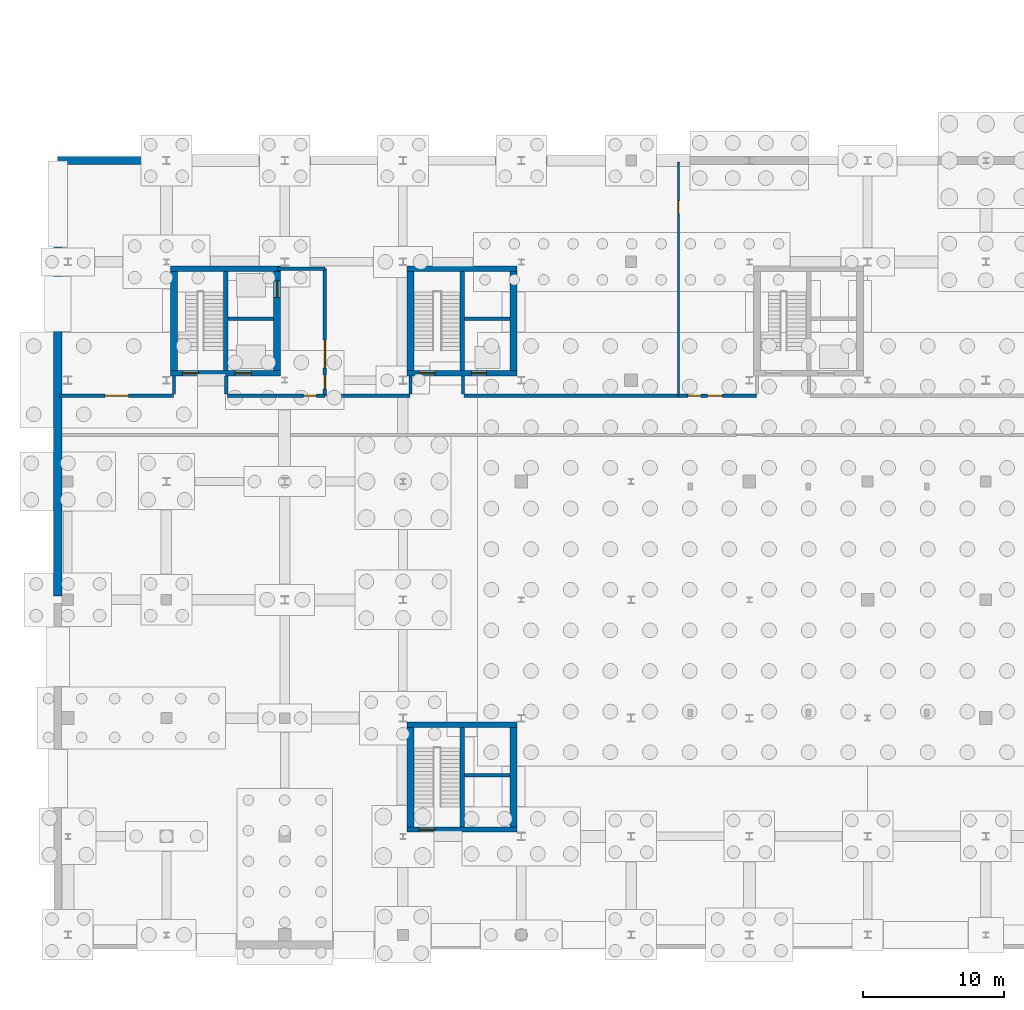
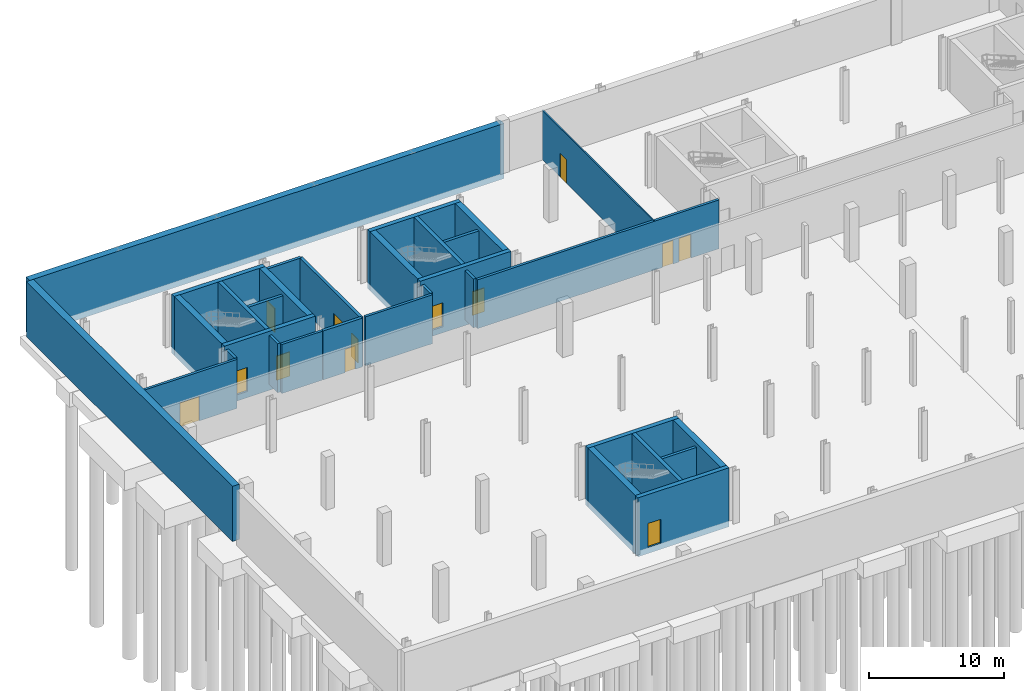
# One storey, part 21 of 32: 32 walls, 13 doors, 13 openings.
"""IFC4 building model written with IfcOpenShell, lengths in metres."""

from ifc_helpers import new_model, si_unit, direction, frame, frame_2d, origin_with_axes, place, context, subcontext, project, spatial, rectangle, extrude, material, layer, layer_set, type_object, element, fill, save


model = new_model("IFC4")

# Units and contexts
model_context = context("Model", 3, precision=1e-05, world=origin_with_axes(), true_north=direction((0.0, 1.0)))
body_context = subcontext(model_context, "Body", "Model", "MODEL_VIEW")
ifc_project = project(units=[si_unit("LENGTHUNIT", "METRE"), si_unit("AREAUNIT", "SQUARE_METRE"), si_unit("VOLUMEUNIT", "CUBIC_METRE"), si_unit("PLANEANGLEUNIT", "RADIAN"), si_unit("MASSUNIT", "GRAM", prefix="KILO"), si_unit("THERMODYNAMICTEMPERATUREUNIT", "KELVIN")], contexts=[model_context])

# Site, building, storey
site_placement = place(None, origin_with_axes())
site = spatial("IfcSite", under=ifc_project, at=site_placement, CompositionType="ELEMENT")
building_placement = place(site_placement, origin_with_axes())
building = spatial("IfcBuilding", under=site, at=building_placement, Name="Montbau Bow Law Courts", CompositionType="ELEMENT")
storey_placement = place(building_placement, frame((0.0, 0.0, -4.8), z_axis=(0.0, 0.0, 1.0), x_axis=(1.0, 0.0, 0.0)))
storey = spatial("IfcBuildingStorey", under=building, at=storey_placement, Name="B1", CompositionType="ELEMENT", Elevation=-4.8)

# Wall, opening, door
ifc_material_1 = material(Name="Concrete CSA A23.1 f'c 45 MPa", Category="concrete")
ifc_layer_1 = layer(ifc_material_1, 0.5, Name="Shear Wall", Category="concrete")
ifc_layer_set_1 = layer_set([ifc_layer_1], Name="Concrete CSA A23.1 f'c 45 MPa")
wall_type_1 = type_object("IfcWallType", Name="W-COR-01", PredefinedType="SHEAR", material=ifc_layer_set_1)
wall_1_placement = place(None, frame((21.66, 46.87, -5.35), z_axis=(0.0, 0.0, 1.0), x_axis=(0.0, 1.0, 0.0)))
wall_1 = element("IfcWall", 1, at=wall_1_placement, inside=storey, type_object=wall_type_1, Name="WC-B1-0003:wal_0070", PredefinedType="SHEAR", context=body_context, shape_type="SweptSolid", body=[
    extrude(rectangle(XDim=7.060000000000002, YDim=0.5, at=frame_2d((3.53, 0.0), x_axis=(1.0, 0.0))), origin_with_axes(), (0.0, 0.0, 1.0), 5.35),
])
opening_1_placement = place(None, frame((21.66, 52.66, -4.8), z_axis=(0.0, 0.0, 1.0), x_axis=(0.0, 1.0, 0.0)))
opening_1 = element("IfcOpeningElement", 2, at=opening_1_placement, cuts=wall_1, Name="OP-LD-B1-EL-P2", PredefinedType="OPENING", context=body_context, shape_type="SweptSolid", body=[
    extrude(rectangle(XDim=1.16, YDim=2.2, at=frame_2d((0.0, 1.1), x_axis=(1.0, 0.0))), frame((0.0, 0.26, 0.0), z_axis=(0.0, -1.0, 0.0), x_axis=(1.0, 0.0, 0.0)), (0.0, 0.0, 1.0), 0.52),
])
ifc_material_2 = material(Name="Brushed Stainless Steel Elevator Landing Door", Category="steel")
door_type_1 = type_object("IfcDoorType", Name="LD-PUB-01", OperationType="NOTDEFINED", ParameterTakesPrecedence=False, PredefinedType="DOOR", material=ifc_material_2)
door_1_placement = place(None, frame((21.66, 52.66, -4.8), z_axis=(0.0, 0.0, 1.0), x_axis=(0.0, 1.0, 0.0)))
door_1 = element("IfcDoor", 3, at=door_1_placement, inside=storey, type_object=door_type_1, Name="LD-B1-EL-P2:dor_0039", OperationType="SLIDING_TO_LEFT", OverallHeight=2.2, OverallWidth=1.16, PredefinedType="DOOR", context=body_context, shape_type="SweptSolid", body=[
    extrude(rectangle(XDim=1.16, YDim=2.2, at=frame_2d((0.0, 1.1), x_axis=(1.0, 0.0))), frame((0.0, 0.04, 0.0), z_axis=(0.0, -1.0, 0.0), x_axis=(1.0, 0.0, 0.0)), (0.0, 0.0, 1.0), 0.08),
])
fill(opening_1, door_1)

# Walls
for number, where, z_axis, x_axis, name in (
    (4, (14.34, 53.93, -5.35), (0.0, 0.0, 1.0), (0.0, -1.0, 0.0), "WC-B1-0004:wal_0071"),
    (5, (38.46, 46.87, -5.35), (0.0, 0.0, 1.0), (0.0, 1.0, 0.0), "WC-B1-0084:wal_0151"),
    (6, (31.14, 53.93, -5.35), (0.0, 0.0, 1.0), (0.0, -1.0, 0.0), "WC-B1-0085:wal_0152"),
):
    element("IfcWall", number, at=place(None, frame(where, z_axis=z_axis, x_axis=x_axis)), inside=storey, type_object=wall_type_1, Name=name, PredefinedType="SHEAR", context=body_context, shape_type="SweptSolid", body=[
        extrude(rectangle(XDim=7.060000000000002, YDim=0.5, at=frame_2d((3.53, 0.0), x_axis=(1.0, 0.0))), origin_with_axes(), (0.0, 0.0, 1.0), 5.35),
    ])
for number, where, z_axis, x_axis, name in (
    (7, (38.46, 14.47, -5.35), (0.0, 0.0, 1.0), (0.0, 1.0, 0.0), "WC-B1-0527:wal_0594"),
    (8, (31.14, 21.53, -5.35), (0.0, 0.0, 1.0), (0.0, -1.0, 0.0), "WC-B1-0528:wal_0595"),
):
    element("IfcWall", number, at=place(None, frame(where, z_axis=z_axis, x_axis=x_axis)), inside=storey, type_object=wall_type_1, Name=name, PredefinedType="SHEAR", context=body_context, shape_type="SweptSolid", body=[
        extrude(rectangle(XDim=7.0600000000000005, YDim=0.5, at=frame_2d((3.53, 0.0), x_axis=(1.0, 0.0))), origin_with_axes(), (0.0, 0.0, 1.0), 5.35),
    ])

# Wall, openings, doors
ifc_layer_2 = layer(ifc_material_1, 0.38, Name="Shear Wall", Category="concrete")
ifc_layer_set_2 = layer_set([ifc_layer_2], Name="Concrete CSA A23.1 f'c 45 MPa")
wall_type_2 = type_object("IfcWallType", Name="W-COR-04", PredefinedType="SHEAR", material=ifc_layer_set_2)
wall_2_placement = place(None, frame((14.09, 46.68, -5.35), z_axis=(0.0, 0.0, 1.0), x_axis=(1.0, 0.0, 0.0)))
wall_2 = element("IfcWall", 9, at=wall_2_placement, inside=storey, type_object=wall_type_2, Name="WC-B1-0001:wal_0068", PredefinedType="SHEAR", context=body_context, shape_type="SweptSolid", body=[
    extrude(rectangle(XDim=7.82, YDim=0.38, at=frame_2d((3.91, 0.0), x_axis=(1.0, 0.0))), origin_with_axes(), (0.0, 0.0, 1.0), 5.35),
])
opening_2_placement = place(None, frame((15.51, 46.68, -4.8), z_axis=(0.0, 0.0, 1.0), x_axis=(1.0, 0.0, 0.0)))
opening_2 = element("IfcOpeningElement", 10, at=opening_2_placement, cuts=wall_2, Name="OP-D-B1-ST-P1", PredefinedType="OPENING", context=body_context, shape_type="SweptSolid", body=[
    extrude(rectangle(XDim=1.14, YDim=2.18, at=frame_2d((0.0, 1.09), x_axis=(1.0, 0.0))), frame((0.0, 0.2, 0.0), z_axis=(0.0, -1.0, 0.0), x_axis=(1.0, 0.0, 0.0)), (0.0, 0.0, 1.0), 0.4),
])
opening_3_placement = place(None, frame((19.25, 46.68, -4.8), z_axis=(0.0, 0.0, 1.0), x_axis=(1.0, 0.0, 0.0)))
opening_3 = element("IfcOpeningElement", 11, at=opening_3_placement, cuts=wall_2, Name="OP-LD-B1-EL-P1", PredefinedType="OPENING", context=body_context, shape_type="SweptSolid", body=[
    extrude(rectangle(XDim=1.16, YDim=2.2, at=frame_2d((0.0, 1.1), x_axis=(1.0, 0.0))), frame((0.0, 0.2, 0.0), z_axis=(0.0, -1.0, 0.0), x_axis=(1.0, 0.0, 0.0)), (0.0, 0.0, 1.0), 0.4),
])
ifc_material_3 = material(Name="1.5 h Fire-Rated Hollow-Metal Exit Stair Door", Category="steel")
door_type_2 = type_object("IfcDoorType", Name="D-ST-01", OperationType="NOTDEFINED", ParameterTakesPrecedence=False, PredefinedType="DOOR", material=ifc_material_3)
door_2_placement = place(None, frame((15.51, 46.68, -4.8), z_axis=(0.0, 0.0, 1.0), x_axis=(-1.0, 0.0, 0.0)))
door_2 = element("IfcDoor", 12, at=door_2_placement, inside=storey, type_object=door_type_2, Name="D-B1-ST-P1:dor_0037", OperationType="SINGLE_SWING_LEFT", OverallHeight=2.18, OverallWidth=1.14, PredefinedType="DOOR", context=body_context, shape_type="SweptSolid", body=[
    extrude(rectangle(XDim=1.14, YDim=2.18, at=frame_2d((0.0, 1.09), x_axis=(1.0, 0.0))), frame((0.0, 0.04, 0.0), z_axis=(0.0, -1.0, 0.0), x_axis=(1.0, 0.0, 0.0)), (0.0, 0.0, 1.0), 0.08),
])
fill(opening_2, door_2)
door_3_placement = place(None, frame((19.25, 46.68, -4.8), z_axis=(0.0, 0.0, 1.0), x_axis=(-1.0, 0.0, 0.0)))
door_3 = element("IfcDoor", 13, at=door_3_placement, inside=storey, type_object=door_type_1, Name="LD-B1-EL-P1:dor_0038", OperationType="SLIDING_TO_LEFT", OverallHeight=2.2, OverallWidth=1.16, PredefinedType="DOOR", context=body_context, shape_type="SweptSolid", body=[
    extrude(rectangle(XDim=1.16, YDim=2.2, at=frame_2d((0.0, 1.1), x_axis=(1.0, 0.0))), frame((0.0, 0.04, 0.0), z_axis=(0.0, -1.0, 0.0), x_axis=(1.0, 0.0, 0.0)), (0.0, 0.0, 1.0), 0.08),
])
fill(opening_3, door_3)

# Wall
wall_3_placement = place(None, frame((21.91, 54.12, -5.35), z_axis=(0.0, 0.0, 1.0), x_axis=(-1.0, 0.0, 0.0)))
element("IfcWall", 14, at=wall_3_placement, inside=storey, type_object=wall_type_2, Name="WC-B1-0002:wal_0069", PredefinedType="SHEAR", context=body_context, shape_type="SweptSolid", body=[
    extrude(rectangle(XDim=7.82, YDim=0.38, at=frame_2d((3.91, 0.0), x_axis=(1.0, 0.0))), origin_with_axes(), (0.0, 0.0, 1.0), 5.35),
])

# Wall, openings, doors
wall_4_placement = place(None, frame((30.89, 46.68, -5.35), z_axis=(0.0, 0.0, 1.0), x_axis=(1.0, 0.0, 0.0)))
wall_4 = element("IfcWall", 15, at=wall_4_placement, inside=storey, type_object=wall_type_2, Name="WC-B1-0082:wal_0149", PredefinedType="SHEAR", context=body_context, shape_type="SweptSolid", body=[
    extrude(rectangle(XDim=7.82, YDim=0.38, at=frame_2d((3.91, 0.0), x_axis=(1.0, 0.0))), origin_with_axes(), (0.0, 0.0, 1.0), 5.35),
])
opening_4_placement = place(None, frame((32.31, 46.68, -4.8), z_axis=(0.0, 0.0, 1.0), x_axis=(1.0, 0.0, 0.0)))
opening_4 = element("IfcOpeningElement", 16, at=opening_4_placement, cuts=wall_4, Name="OP-D-B1-ST-J1", PredefinedType="OPENING", context=body_context, shape_type="SweptSolid", body=[
    extrude(rectangle(XDim=1.14, YDim=2.18, at=frame_2d((0.0, 1.09), x_axis=(1.0, 0.0))), frame((0.0, 0.2, 0.0), z_axis=(0.0, -1.0, 0.0), x_axis=(1.0, 0.0, 0.0)), (0.0, 0.0, 1.0), 0.4),
])
opening_5_placement = place(None, frame((36.0, 46.68, -4.8), z_axis=(0.0, 0.0, 1.0), x_axis=(1.0, 0.0, 0.0)))
opening_5 = element("IfcOpeningElement", 17, at=opening_5_placement, cuts=wall_4, Name="OP-LD-B1-EL-J1", PredefinedType="OPENING", context=body_context, shape_type="SweptSolid", body=[
    extrude(rectangle(XDim=1.06, YDim=2.16, at=frame_2d((0.0, 1.08), x_axis=(1.0, 0.0))), frame((0.0, 0.2, 0.0), z_axis=(0.0, -1.0, 0.0), x_axis=(1.0, 0.0, 0.0)), (0.0, 0.0, 1.0), 0.4),
])
door_4_placement = place(None, frame((32.31, 46.68, -4.8), z_axis=(0.0, 0.0, 1.0), x_axis=(-1.0, 0.0, 0.0)))
door_4 = element("IfcDoor", 18, at=door_4_placement, inside=storey, type_object=door_type_2, Name="D-B1-ST-J1:dor_0073", OperationType="SINGLE_SWING_RIGHT", OverallHeight=2.18, OverallWidth=1.14, PredefinedType="DOOR", context=body_context, shape_type="SweptSolid", body=[
    extrude(rectangle(XDim=1.14, YDim=2.18, at=frame_2d((0.0, 1.09), x_axis=(1.0, 0.0))), frame((0.0, 0.04, 0.0), z_axis=(0.0, -1.0, 0.0), x_axis=(1.0, 0.0, 0.0)), (0.0, 0.0, 1.0), 0.08),
])
fill(opening_4, door_4)
ifc_material_4 = material(Name="Bronze-Clad Judicial Elevator Landing Door", Category="steel")
door_type_3 = type_object("IfcDoorType", Name="LD-JUD-01", OperationType="NOTDEFINED", ParameterTakesPrecedence=False, PredefinedType="DOOR", material=ifc_material_4)
door_5_placement = place(None, frame((36.0, 46.68, -4.8), z_axis=(0.0, 0.0, 1.0), x_axis=(-1.0, 0.0, 0.0)))
door_5 = element("IfcDoor", 19, at=door_5_placement, inside=storey, type_object=door_type_3, Name="LD-B1-EL-J1:dor_0074", OperationType="SLIDING_TO_LEFT", OverallHeight=2.16, OverallWidth=1.06, PredefinedType="DOOR", context=body_context, shape_type="SweptSolid", body=[
    extrude(rectangle(XDim=1.06, YDim=2.16, at=frame_2d((0.0, 1.08), x_axis=(1.0, 0.0))), frame((0.0, 0.04, 0.0), z_axis=(0.0, -1.0, 0.0), x_axis=(1.0, 0.0, 0.0)), (0.0, 0.0, 1.0), 0.08),
])
fill(opening_5, door_5)

# Wall
wall_5_placement = place(None, frame((38.71, 54.12, -5.35), z_axis=(0.0, 0.0, 1.0), x_axis=(-1.0, 0.0, 0.0)))
element("IfcWall", 20, at=wall_5_placement, inside=storey, type_object=wall_type_2, Name="WC-B1-0083:wal_0150", PredefinedType="SHEAR", context=body_context, shape_type="SweptSolid", body=[
    extrude(rectangle(XDim=7.82, YDim=0.38, at=frame_2d((3.91, 0.0), x_axis=(1.0, 0.0))), origin_with_axes(), (0.0, 0.0, 1.0), 5.35),
])

# Wall, opening, door
wall_6_placement = place(None, frame((30.89, 14.28, -5.35), z_axis=(0.0, 0.0, 1.0), x_axis=(1.0, 0.0, 0.0)))
wall_6 = element("IfcWall", 21, at=wall_6_placement, inside=storey, type_object=wall_type_2, Name="WC-B1-0525:wal_0592", PredefinedType="SHEAR", context=body_context, shape_type="SweptSolid", body=[
    extrude(rectangle(XDim=7.82, YDim=0.38, at=frame_2d((3.91, 0.0), x_axis=(1.0, 0.0))), origin_with_axes(), (0.0, 0.0, 1.0), 5.35),
])
opening_6_placement = place(None, frame((32.31, 14.28, -4.8), z_axis=(0.0, 0.0, 1.0), x_axis=(1.0, 0.0, 0.0)))
opening_6 = element("IfcOpeningElement", 22, at=opening_6_placement, cuts=wall_6, Name="OP-D-B1-ST-CER1", PredefinedType="OPENING", context=body_context, shape_type="SweptSolid", body=[
    extrude(rectangle(XDim=1.14, YDim=2.18, at=frame_2d((0.0, 1.09), x_axis=(1.0, 0.0))), frame((0.0, 0.2, 0.0), z_axis=(0.0, -1.0, 0.0), x_axis=(1.0, 0.0, 0.0)), (0.0, 0.0, 1.0), 0.4),
])
door_6_placement = place(None, frame((32.31, 14.28, -4.8), z_axis=(0.0, 0.0, 1.0), x_axis=(-1.0, 0.0, 0.0)))
door_6 = element("IfcDoor", 23, at=door_6_placement, inside=storey, type_object=door_type_2, Name="D-B1-ST-CER1:dor_0235", OperationType="SINGLE_SWING_LEFT", OverallHeight=2.18, OverallWidth=1.14, PredefinedType="DOOR", context=body_context, shape_type="SweptSolid", body=[
    extrude(rectangle(XDim=1.14, YDim=2.18, at=frame_2d((0.0, 1.09), x_axis=(1.0, 0.0))), frame((0.0, 0.04, 0.0), z_axis=(0.0, -1.0, 0.0), x_axis=(1.0, 0.0, 0.0)), (0.0, 0.0, 1.0), 0.08),
])
fill(opening_6, door_6)

# Walls
wall_7_placement = place(None, frame((38.71, 21.72, -5.35), z_axis=(0.0, 0.0, 1.0), x_axis=(-1.0, 0.0, 0.0)))
element("IfcWall", 24, at=wall_7_placement, inside=storey, type_object=wall_type_2, Name="WC-B1-0526:wal_0593", PredefinedType="SHEAR", context=body_context, shape_type="SweptSolid", body=[
    extrude(rectangle(XDim=7.82, YDim=0.38, at=frame_2d((3.91, 0.0), x_axis=(1.0, 0.0))), origin_with_axes(), (0.0, 0.0, 1.0), 5.35),
])
ifc_layer_3 = layer(ifc_material_1, 0.32, Name="Shear Wall", Category="concrete")
ifc_layer_set_3 = layer_set([ifc_layer_3], Name="Concrete CSA A23.1 f'c 45 MPa")
wall_type_3 = type_object("IfcWallType", Name="W-COR-05", PredefinedType="SHEAR", material=ifc_layer_set_3)
for number, where, z_axis, x_axis, name in (
    (25, (18.02, 46.87, -5.35), (0.0, 0.0, 1.0), (0.0, 1.0, 0.0), "WS-B1-0005:wal_0072"),
    (26, (34.82, 46.87, -5.35), (0.0, 0.0, 1.0), (0.0, 1.0, 0.0), "WS-B1-0086:wal_0153"),
):
    element("IfcWall", number, at=place(None, frame(where, z_axis=z_axis, x_axis=x_axis)), inside=storey, type_object=wall_type_3, Name=name, PredefinedType="SHEAR", context=body_context, shape_type="SweptSolid", body=[
        extrude(rectangle(XDim=7.060000000000002, YDim=0.32, at=frame_2d((3.53, 0.0), x_axis=(1.0, 0.0))), origin_with_axes(), (0.0, 0.0, 1.0), 5.35),
    ])
wall_8_placement = place(None, frame((34.82, 14.47, -5.35), z_axis=(0.0, 0.0, 1.0), x_axis=(0.0, 1.0, 0.0)))
element("IfcWall", 27, at=wall_8_placement, inside=storey, type_object=wall_type_3, Name="WS-B1-0529:wal_0596", PredefinedType="SHEAR", context=body_context, shape_type="SweptSolid", body=[
    extrude(rectangle(XDim=7.0600000000000005, YDim=0.32, at=frame_2d((3.53, 0.0), x_axis=(1.0, 0.0))), origin_with_axes(), (0.0, 0.0, 1.0), 5.35),
])
ifc_material_5 = material(Name="2 h Shaft and Exit-Passage Fire Separation Partition", Category="gypsum")
ifc_layer_4 = layer(ifc_material_5, 0.25, Name="Partition", Category="gypsum")
ifc_layer_set_4 = layer_set([ifc_layer_4], Name="2 h Shaft and Exit-Passage Fire Separation Partition")
wall_type_4 = type_object("IfcWallType", Name="W-PRT-01", PredefinedType="PARTITIONING", material=ifc_layer_set_4)
wall_9_placement = place(None, frame((18.18, 50.549, -4.8), z_axis=(0.0, 0.0, 1.0), x_axis=(1.0, 0.0, 0.0)))
element("IfcWall", 28, at=wall_9_placement, inside=storey, type_object=wall_type_4, Name="WS-B1-0006:wal_0073", PredefinedType="PARTITIONING", context=body_context, shape_type="SweptSolid", body=[
    extrude(rectangle(XDim=3.2300000000000004, YDim=0.25, at=frame_2d((1.615, 0.0), x_axis=(1.0, 0.0))), origin_with_axes(), (0.0, 0.0, 1.0), 4.44),
])

# Wall, openings, doors
wall_10_placement = place(None, frame((25.06, 45.09, -4.8), z_axis=(0.0, 0.0, 1.0), x_axis=(0.0, 1.0, 0.0)))
wall_10 = element("IfcWall", 29, at=wall_10_placement, inside=storey, type_object=wall_type_4, Name="WEL-B1-0007:wal_0074", PredefinedType="PARTITIONING", context=body_context, shape_type="SweptSolid", body=[
    extrude(rectangle(XDim=9.029999999999994, YDim=0.25, at=frame_2d((4.515, 0.0), x_axis=(1.0, 0.0))), origin_with_axes(), (0.0, 0.0, 1.0), 4.44),
])
opening_7_placement = place(None, frame((25.06, 48.057, -4.8), z_axis=(0.0, 0.0, 1.0), x_axis=(0.0, 1.0, 0.0)))
opening_7 = element("IfcOpeningElement", 30, at=opening_7_placement, cuts=wall_10, Name="OP-D-TYP-411", PredefinedType="OPENING", context=body_context, shape_type="SweptSolid", body=[
    extrude(rectangle(XDim=1.96, YDim=2.46, at=frame_2d((0.0, 1.23), x_axis=(1.0, 0.0))), frame((0.0, 0.135, 0.0), z_axis=(0.0, -1.0, 0.0), x_axis=(1.0, 0.0, 0.0)), (0.0, 0.0, 1.0), 0.27),
])
opening_8_placement = place(None, frame((25.06, 46.067, -4.8), z_axis=(0.0, 0.0, 1.0), x_axis=(0.0, 1.0, 0.0)))
opening_8 = element("IfcOpeningElement", 31, at=opening_8_placement, cuts=wall_10, Name="OP-D-TYP-412", PredefinedType="OPENING", context=body_context, shape_type="SweptSolid", body=[
    extrude(rectangle(XDim=0.98, YDim=2.14, at=frame_2d((0.0, 1.07), x_axis=(1.0, 0.0))), frame((0.0, 0.135, 0.0), z_axis=(0.0, -1.0, 0.0), x_axis=(1.0, 0.0, 0.0)), (0.0, 0.0, 1.0), 0.27),
])
ifc_material_6 = material(Name="1.5 h Mechanical and Standby Power Double Door", Category="steel")
door_type_4 = type_object("IfcDoorType", Name="D-PLT-01", OperationType="NOTDEFINED", ParameterTakesPrecedence=False, PredefinedType="DOOR", material=ifc_material_6)
door_7_placement = place(None, frame((25.06, 48.057, -4.8), z_axis=(0.0, 0.0, 1.0), x_axis=(0.0, 1.0, 0.0)))
door_7 = element("IfcDoor", 32, at=door_7_placement, inside=storey, type_object=door_type_4, Name="D-TYP-411:dor_0446", OperationType="SINGLE_SWING_RIGHT", OverallHeight=2.46, OverallWidth=1.96, PredefinedType="DOOR", context=body_context, shape_type="SweptSolid", body=[
    extrude(rectangle(XDim=1.96, YDim=2.46, at=frame_2d((0.0, 1.23), x_axis=(1.0, 0.0))), frame((0.0, 0.04, 0.0), z_axis=(0.0, -1.0, 0.0), x_axis=(1.0, 0.0, 0.0)), (0.0, 0.0, 1.0), 0.08),
])
fill(opening_7, door_7)
ifc_material_7 = material(Name="1 h Electrical Riser and Telecom Closet Door", Category="steel")
door_type_5 = type_object("IfcDoorType", Name="D-PLT-02", OperationType="NOTDEFINED", ParameterTakesPrecedence=False, PredefinedType="DOOR", material=ifc_material_7)
door_8_placement = place(None, frame((25.06, 46.067, -4.8), z_axis=(0.0, 0.0, 1.0), x_axis=(0.0, 1.0, 0.0)))
door_8 = element("IfcDoor", 33, at=door_8_placement, inside=storey, type_object=door_type_5, Name="D-TYP-412:dor_0447", OperationType="SINGLE_SWING_LEFT", OverallHeight=2.14, OverallWidth=0.98, PredefinedType="DOOR", context=body_context, shape_type="SweptSolid", body=[
    extrude(rectangle(XDim=0.98, YDim=2.14, at=frame_2d((0.0, 1.07), x_axis=(1.0, 0.0))), frame((0.0, 0.04, 0.0), z_axis=(0.0, -1.0, 0.0), x_axis=(1.0, 0.0, 0.0)), (0.0, 0.0, 1.0), 0.08),
])
fill(opening_8, door_8)

# Wall
wall_11_placement = place(None, frame((21.7, 54.12, -4.8), z_axis=(0.0, 0.0, 1.0), x_axis=(1.0, 0.0, 0.0)))
element("IfcWall", 34, at=wall_11_placement, inside=storey, type_object=wall_type_4, Name="WEL-B1-0008:wal_0075", PredefinedType="PARTITIONING", context=body_context, shape_type="SweptSolid", body=[
    extrude(rectangle(XDim=3.3599999999999994, YDim=0.25, at=frame_2d((1.68, 0.0), x_axis=(1.0, 0.0))), origin_with_axes(), (0.0, 0.0, 1.0), 4.44),
])

# Wall, opening, door
wall_12_placement = place(None, frame((21.7, 45.09, -4.8), z_axis=(0.0, 0.0, 1.0), x_axis=(1.0, 0.0, 0.0)))
wall_12 = element("IfcWall", 35, at=wall_12_placement, inside=storey, type_object=wall_type_4, Name="WEL-B1-0009:wal_0076", PredefinedType="PARTITIONING", context=body_context, shape_type="SweptSolid", body=[
    extrude(rectangle(XDim=3.3599999999999994, YDim=0.25, at=frame_2d((1.68, 0.0), x_axis=(1.0, 0.0))), origin_with_axes(), (0.0, 0.0, 1.0), 4.44),
])
opening_9_placement = place(None, frame((24.005, 45.09, -4.8), z_axis=(0.0, 0.0, 1.0), x_axis=(1.0, 0.0, 0.0)))
opening_9 = element("IfcOpeningElement", 36, at=opening_9_placement, cuts=wall_12, Name="OP-D-B1-ELB-CORE-W1", PredefinedType="OPENING", context=body_context, shape_type="SweptSolid", body=[
    extrude(rectangle(XDim=0.91, YDim=2.12, at=frame_2d((0.0, 1.06), x_axis=(1.0, 0.0))), frame((0.0, 0.135, 0.0), z_axis=(0.0, -1.0, 0.0), x_axis=(1.0, 0.0, 0.0)), (0.0, 0.0, 1.0), 0.27),
])
ifc_material_8 = material(Name="Public and Judicial Washroom Solid-Core Door", Category="wood")
door_type_6 = type_object("IfcDoorType", Name="D-WC-02", OperationType="NOTDEFINED", ParameterTakesPrecedence=False, PredefinedType="DOOR", material=ifc_material_8)
door_9_placement = place(None, frame((24.005, 45.09, -4.8), z_axis=(0.0, 0.0, 1.0), x_axis=(1.0, 0.0, 0.0)))
door_9 = element("IfcDoor", 37, at=door_9_placement, inside=storey, type_object=door_type_6, Name="D-B1-ELB-CORE-W1:dor_0040", OperationType="SINGLE_SWING_RIGHT", OverallHeight=2.12, OverallWidth=0.91, PredefinedType="DOOR", context=body_context, shape_type="SweptSolid", body=[
    extrude(rectangle(XDim=0.91, YDim=2.12, at=frame_2d((0.0, 1.06), x_axis=(1.0, 0.0))), frame((0.0, 0.04, 0.0), z_axis=(0.0, -1.0, 0.0), x_axis=(1.0, 0.0, 0.0)), (0.0, 0.0, 1.0), 0.08),
])
fill(opening_9, door_9)

# Walls
for number, where, z_axis, x_axis, name in (
    (38, (34.98, 50.549, -4.8), (0.0, 0.0, 1.0), (1.0, 0.0, 0.0), "WS-B1-0087:wal_0154"),
    (39, (34.98, 18.149, -4.8), (0.0, 0.0, 1.0), (1.0, 0.0, 0.0), "WS-B1-0530:wal_0597"),
):
    element("IfcWall", number, at=place(None, frame(where, z_axis=z_axis, x_axis=x_axis)), inside=storey, type_object=wall_type_4, Name=name, PredefinedType="PARTITIONING", context=body_context, shape_type="SweptSolid", body=[
        extrude(rectangle(XDim=3.230000000000004, YDim=0.25, at=frame_2d((1.615, 0.0), x_axis=(1.0, 0.0))), origin_with_axes(), (0.0, 0.0, 1.0), 4.44),
    ])
ifc_material_9 = material(Name="STC-60 High-Acoustic Courtroom Perimeter Partition", Category="gypsum")
ifc_layer_5 = layer(ifc_material_9, 0.22, Name="Partition", Category="gypsum")
ifc_layer_set_5 = layer_set([ifc_layer_5], Name="STC-60 High-Acoustic Courtroom Perimeter Partition")
wall_type_5 = type_object("IfcWallType", Name="W-PRT-02", PredefinedType="PARTITIONING", material=ifc_layer_set_5)
for number, where, z_axis, x_axis, name in (
    (40, (14.34, 45.22, -4.8), (0.0, 0.0, 1.0), (0.0, 1.0, 0.0), "WCX-B1-0569:wal_0636"),
    (41, (18.05, 45.22, -4.8), (0.0, 0.0, 1.0), (0.0, 1.0, 0.0), "WCX-B1-0570:wal_0637"),
    (42, (31.14, 45.22, -4.8), (0.0, 0.0, 1.0), (0.0, 1.0, 0.0), "WCX-B1-0571:wal_0638"),
    (43, (34.85, 45.22, -4.8), (0.0, 0.0, 1.0), (0.0, 1.0, 0.0), "WCX-B1-0572:wal_0639"),
):
    element("IfcWall", number, at=place(None, frame(where, z_axis=z_axis, x_axis=x_axis)), inside=storey, type_object=wall_type_5, Name=name, PredefinedType="PARTITIONING", context=body_context, shape_type="SweptSolid", body=[
        extrude(rectangle(XDim=1.259999999999998, YDim=0.22, at=frame_2d((0.63, 0.0), x_axis=(1.0, 0.0))), origin_with_axes(), (0.0, 0.0, 1.0), 4.44),
    ])

# Wall, opening, door
wall_13_placement = place(None, frame((6.22, 45.09, -4.8), z_axis=(0.0, 0.0, 1.0), x_axis=(1.0, 0.0, 0.0)))
wall_13 = element("IfcWall", 44, at=wall_13_placement, inside=storey, type_object=wall_type_5, Name="WP-B1-0577:wal_0644", PredefinedType="PARTITIONING", context=body_context, shape_type="SweptSolid", body=[
    extrude(rectangle(XDim=8.080000000000002, YDim=0.22, at=frame_2d((4.04, 0.0), x_axis=(1.0, 0.0))), origin_with_axes(), (0.0, 0.0, 1.0), 4.44),
])
opening_10_placement = place(None, frame((10.26, 45.09, -4.8), z_axis=(0.0, 0.0, 1.0), x_axis=(1.0, 0.0, 0.0)))
opening_10 = element("IfcOpeningElement", 45, at=opening_10_placement, cuts=wall_13, Name="OP-D-B1-214", PredefinedType="OPENING", context=body_context, shape_type="SweptSolid", body=[
    extrude(rectangle(XDim=1.68, YDim=2.22, at=frame_2d((0.0, 1.11), x_axis=(1.0, 0.0))), frame((0.0, 0.12, 0.0), z_axis=(0.0, -1.0, 0.0), x_axis=(1.0, 0.0, 0.0)), (0.0, 0.0, 1.0), 0.24),
])
ifc_material_10 = material(Name="2 h Evidence Vault and Court Archive Fire Door", Category="steel")
door_type_7 = type_object("IfcDoorType", Name="D-ARC-01", OperationType="NOTDEFINED", ParameterTakesPrecedence=False, PredefinedType="DOOR", material=ifc_material_10)
door_10_placement = place(None, frame((10.26, 45.09, -4.8), z_axis=(0.0, 0.0, 1.0), x_axis=(-1.0, 0.0, 0.0)))
door_10 = element("IfcDoor", 46, at=door_10_placement, inside=storey, type_object=door_type_7, Name="D-B1-214:dor_0249", OperationType="DOUBLE_DOOR_SINGLE_SWING", OverallHeight=2.22, OverallWidth=1.68, PredefinedType="DOOR", context=body_context, shape_type="SweptSolid", body=[
    extrude(rectangle(XDim=1.68, YDim=2.22, at=frame_2d((0.0, 1.11), x_axis=(1.0, 0.0))), frame((0.0, 0.04, 0.0), z_axis=(0.0, -1.0, 0.0), x_axis=(1.0, 0.0, 0.0)), (0.0, 0.0, 1.0), 0.08),
])
fill(opening_10, door_10)

# Walls
wall_14_placement = place(None, frame((18.15, 45.09, -4.8), z_axis=(0.0, 0.0, 1.0), x_axis=(1.0, 0.0, 0.0)))
element("IfcWall", 47, at=wall_14_placement, inside=storey, type_object=wall_type_5, Name="WP-B1-0578:wal_0645", PredefinedType="PARTITIONING", context=body_context, shape_type="SweptSolid", body=[
    extrude(rectangle(XDim=3.5100000000000016, YDim=0.22, at=frame_2d((1.755, 0.0), x_axis=(1.0, 0.0))), origin_with_axes(), (0.0, 0.0, 1.0), 4.44),
])
wall_15_placement = place(None, frame((25.355, 45.09, -4.8), z_axis=(0.0, 0.0, 1.0), x_axis=(1.0, 0.0, 0.0)))
element("IfcWall", 48, at=wall_15_placement, inside=storey, type_object=wall_type_5, Name="WP-B1-0579:wal_0646", PredefinedType="PARTITIONING", context=body_context, shape_type="SweptSolid", body=[
    extrude(rectangle(XDim=5.745000000000001, YDim=0.22, at=frame_2d((2.8725, 0.0), x_axis=(1.0, 0.0))), origin_with_axes(), (0.0, 0.0, 1.0), 4.44),
])

# Wall, openings, doors
wall_16_placement = place(None, frame((34.95, 45.09, -4.8), z_axis=(0.0, 0.0, 1.0), x_axis=(1.0, 0.0, 0.0)))
wall_16 = element("IfcWall", 49, at=wall_16_placement, inside=storey, type_object=wall_type_5, Name="WP-B1-0580:wal_0647", PredefinedType="PARTITIONING", context=body_context, shape_type="SweptSolid", body=[
    extrude(rectangle(XDim=20.75, YDim=0.22, at=frame_2d((10.375, 0.0), x_axis=(1.0, 0.0))), origin_with_axes(), (0.0, 0.0, 1.0), 4.44),
])
opening_11_placement = place(None, frame((52.77, 45.09, -4.8), z_axis=(0.0, 0.0, 1.0), x_axis=(1.0, 0.0, 0.0)))
opening_11 = element("IfcOpeningElement", 50, at=opening_11_placement, cuts=wall_16, Name="OP-D-B1-215", PredefinedType="OPENING", context=body_context, shape_type="SweptSolid", body=[
    extrude(rectangle(XDim=1.05, YDim=2.15, at=frame_2d((0.0, 1.075), x_axis=(1.0, 0.0))), frame((0.0, 0.12, 0.0), z_axis=(0.0, -1.0, 0.0), x_axis=(1.0, 0.0, 0.0)), (0.0, 0.0, 1.0), 0.24),
])
opening_12_placement = place(None, frame((51.295, 45.09, -4.8), z_axis=(0.0, 0.0, 1.0), x_axis=(1.0, 0.0, 0.0)))
opening_12 = element("IfcOpeningElement", 51, at=opening_12_placement, cuts=wall_16, Name="OP-D-SEC-415", PredefinedType="OPENING", context=body_context, shape_type="SweptSolid", body=[
    extrude(rectangle(XDim=0.92, YDim=2.14, at=frame_2d((0.0, 1.07), x_axis=(1.0, 0.0))), frame((0.0, 0.12, 0.0), z_axis=(0.0, -1.0, 0.0), x_axis=(1.0, 0.0, 0.0)), (0.0, 0.0, 1.0), 0.24),
])
ifc_material_11 = material(Name="1.5 h Fire Command Room Hollow-Metal Door", Category="steel")
door_type_8 = type_object("IfcDoorType", Name="D-FCC-01", OperationType="NOTDEFINED", ParameterTakesPrecedence=False, PredefinedType="DOOR", material=ifc_material_11)
door_11_placement = place(None, frame((52.77, 45.09, -4.8), z_axis=(0.0, 0.0, 1.0), x_axis=(-1.0, 0.0, 0.0)))
door_11 = element("IfcDoor", 52, at=door_11_placement, inside=storey, type_object=door_type_8, Name="D-B1-215:dor_0250", OperationType="SINGLE_SWING_RIGHT", OverallHeight=2.15, OverallWidth=1.05, PredefinedType="DOOR", context=body_context, shape_type="SweptSolid", body=[
    extrude(rectangle(XDim=1.05, YDim=2.15, at=frame_2d((0.0, 1.075), x_axis=(1.0, 0.0))), frame((0.0, 0.04, 0.0), z_axis=(0.0, -1.0, 0.0), x_axis=(1.0, 0.0, 0.0)), (0.0, 0.0, 1.0), 0.08),
])
fill(opening_11, door_11)
ifc_material_12 = material(Name="Judicial Law Clerk and Registry Office Oak Door", Category="wood")
door_type_9 = type_object("IfcDoorType", Name="D-OFF-01", OperationType="NOTDEFINED", ParameterTakesPrecedence=False, PredefinedType="DOOR", material=ifc_material_12)
door_12_placement = place(None, frame((51.295, 45.09, -4.8), z_axis=(0.0, 0.0, 1.0), x_axis=(1.0, 0.0, 0.0)))
door_12 = element("IfcDoor", 53, at=door_12_placement, inside=storey, type_object=door_type_9, Name="D-SEC-415:dor_0450", OperationType="SINGLE_SWING_RIGHT", OverallHeight=2.14, OverallWidth=0.92, PredefinedType="DOOR", context=body_context, shape_type="SweptSolid", body=[
    extrude(rectangle(XDim=0.92, YDim=2.14, at=frame_2d((0.0, 1.07), x_axis=(1.0, 0.0))), frame((0.0, 0.04, 0.0), z_axis=(0.0, -1.0, 0.0), x_axis=(1.0, 0.0, 0.0)), (0.0, 0.0, 1.0), 0.08),
])
fill(opening_12, door_12)

# Wall, opening, door
ifc_material_13 = material(Name="1 h Interior Demising Acoustic Stud Partition", Category="gypsum")
ifc_layer_6 = layer(ifc_material_13, 0.12, Name="Partition", Category="gypsum")
ifc_layer_set_6 = layer_set([ifc_layer_6], Name="1 h Interior Demising Acoustic Stud Partition")
wall_type_6 = type_object("IfcWallType", Name="W-PRT-07", PredefinedType="PARTITIONING", material=ifc_layer_set_6)
wall_17_placement = place(None, frame((50.164, 45.09, -4.8), z_axis=(0.0, 0.0, 1.0), x_axis=(0.0, 1.0, 0.0)))
wall_17 = element("IfcWall", 54, at=wall_17_placement, inside=storey, type_object=wall_type_6, Name="WD-B1-0585:wal_0652", PredefinedType="PARTITIONING", context=body_context, shape_type="SweptSolid", body=[
    extrude(rectangle(XDim=16.569999999999993, YDim=0.12, at=frame_2d((8.285, 0.0), x_axis=(1.0, 0.0))), origin_with_axes(), (0.0, 0.0, 1.0), 4.44),
])
opening_13_placement = place(None, frame((50.164, 58.475, -4.8), z_axis=(0.0, 0.0, 1.0), x_axis=(0.0, 1.0, 0.0)))
opening_13 = element("IfcOpeningElement", 55, at=opening_13_placement, cuts=wall_17, Name="OP-D-SEC-419", PredefinedType="OPENING", context=body_context, shape_type="SweptSolid", body=[
    extrude(rectangle(XDim=0.92, YDim=2.14, at=frame_2d((0.0, 1.07), x_axis=(1.0, 0.0))), frame((0.0, 0.07, 0.0), z_axis=(0.0, -1.0, 0.0), x_axis=(1.0, 0.0, 0.0)), (0.0, 0.0, 1.0), 0.14),
])
door_13_placement = place(None, frame((50.164, 58.475, -4.8), z_axis=(0.0, 0.0, 1.0), x_axis=(0.0, 1.0, 0.0)))
door_13 = element("IfcDoor", 56, at=door_13_placement, inside=storey, type_object=door_type_9, Name="D-SEC-419:dor_0454", OperationType="SINGLE_SWING_RIGHT", OverallHeight=2.14, OverallWidth=0.92, PredefinedType="DOOR", context=body_context, shape_type="SweptSolid", body=[
    extrude(rectangle(XDim=0.92, YDim=2.14, at=frame_2d((0.0, 1.07), x_axis=(1.0, 0.0))), frame((0.0, 0.04, 0.0), z_axis=(0.0, -1.0, 0.0), x_axis=(1.0, 0.0, 0.0)), (0.0, 0.0, 1.0), 0.08),
])
fill(opening_13, door_13)

# Walls
ifc_material_14 = material(Name="Concrete CSA A23.1 f'c 40 MPa", Category="concrete")
ifc_layer_7 = layer(ifc_material_14, 0.55, Name="Retaining Wall", Category="concrete")
ifc_layer_set_7 = layer_set([ifc_layer_7], Name="Concrete CSA A23.1 f'c 40 MPa")
wall_type_7 = type_object("IfcWallType", Name="W-RET-01", PredefinedType="USERDEFINED", material=ifc_layer_set_7)
wall_18_placement = place(None, frame((46.8, 61.8, -5.35), z_axis=(0.0, 0.0, 1.0), x_axis=(-1.0, 0.0, 0.0)))
element("IfcWall", 57, at=wall_18_placement, inside=storey, type_object=wall_type_7, Name="WR-B1-15:wal_0015", ObjectType="RETAININGWALL", PredefinedType="USERDEFINED", context=body_context, shape_type="SweptSolid", body=[
    extrude(rectangle(XDim=40.72, YDim=0.55, at=frame_2d((20.36, 0.0), x_axis=(1.0, 0.0))), origin_with_axes(), (0.0, 0.0, 1.0), 5.01),
])
ifc_layer_8 = layer(ifc_material_14, 0.6, Name="Retaining Wall", Category="concrete")
ifc_layer_set_8 = layer_set([ifc_layer_8], Name="Concrete CSA A23.1 f'c 40 MPa")
wall_type_8 = type_object("IfcWallType", Name="W-RET-02", PredefinedType="USERDEFINED", material=ifc_layer_set_8)
wall_19_placement = place(None, frame((6.08, 61.52, -5.35), z_axis=(0.0, 0.0, 1.0), x_axis=(0.0, -1.0, 0.0)))
element("IfcWall", 58, at=wall_19_placement, inside=storey, type_object=wall_type_8, Name="WR-B1-16:wal_0016", ObjectType="RETAININGWALL", PredefinedType="USERDEFINED", context=body_context, shape_type="SweptSolid", body=[
    extrude(rectangle(XDim=30.640000000000004, YDim=0.6, at=frame_2d((15.32, 0.0), x_axis=(1.0, 0.0))), origin_with_axes(), (0.0, 0.0, 1.0), 5.01),
])

save(model, "model.ifc")
